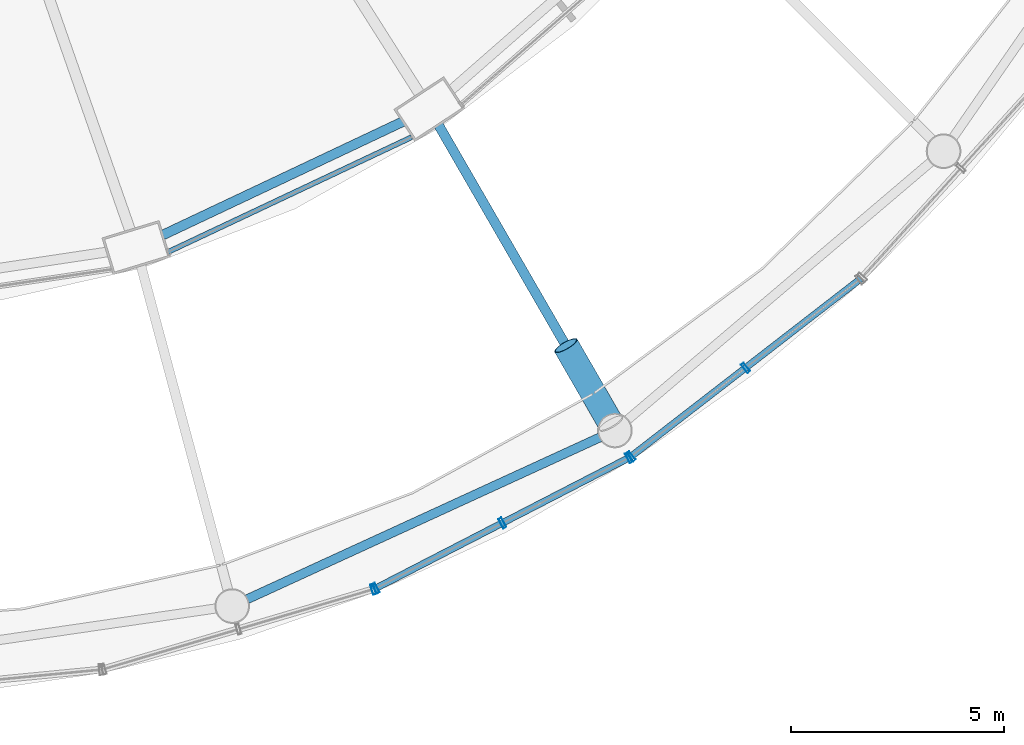
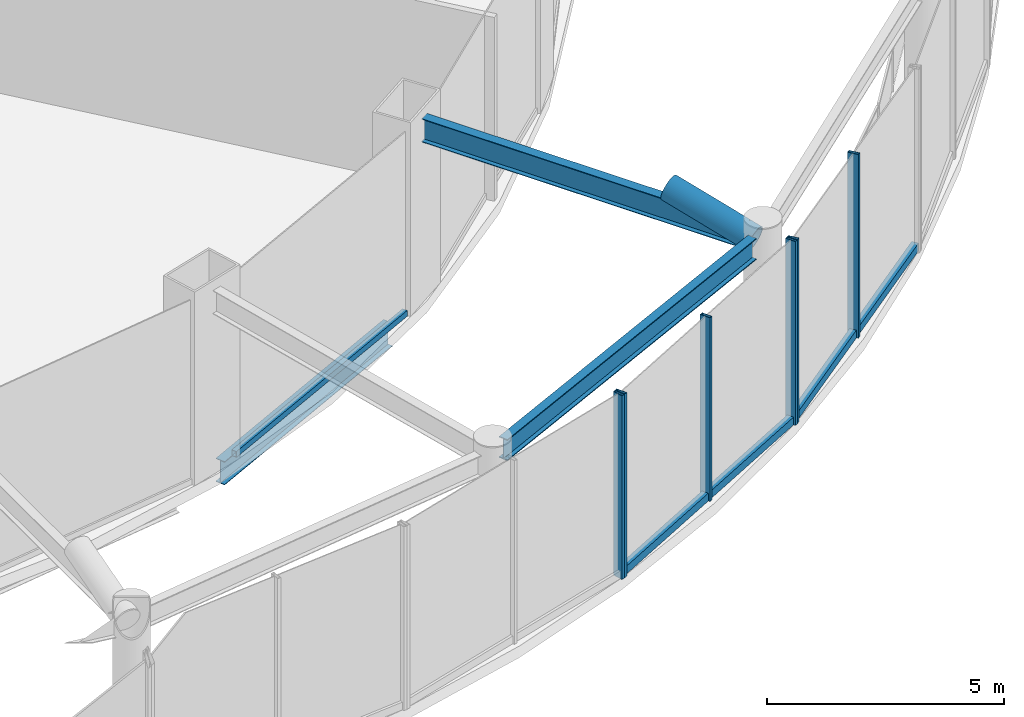
# One storey, part 11 of 52: 10 members, 3 beams, 4 elements without a shape of their own.
"""IFC4 building model written with IfcOpenShell, lengths in metres."""

import ifcopenshell
import ifcopenshell.guid

model = None  # the IFC model being written
_history = None  # IfcOwnerHistory: only IFC2X3 demands one
_inside = {}  # id of a spatial element -> (the spatial element, [elements in it])
_under = {}  # id of a project, library or spatial element -> (it, [spatial elements below it])
_declared = {}  # id of a project -> (the project, [libraries it declares])
_typed = {}  # id of a type object -> (the type object, [elements of that type])
_made_of = {}  # id of a material, layer set ... -> (it, [elements and type objects made of it])


def new_model(schema):
    """Start an empty IFC model of exactly this schema.

    Asked for "IFC4X3", IfcOpenShell would pick the latest addendum, in which some entities
    have other attributes; the version numbers below select the first issue.
    IFC2X3 requires an IfcOwnerHistory on every rooted entity: one is made here for all.
    """
    global model, _history
    if schema == "IFC4X3":
        model = ifcopenshell.file(schema_version=(4, 3, 0, 0))
    else:
        model = ifcopenshell.file(schema=schema)
    _inside.clear()
    _under.clear()
    _declared.clear()
    _typed.clear()
    _made_of.clear()
    _history = None
    if model.schema == "IFC2X3":
        org = make("IfcOrganization", Name="unknown")
        user = make(
            "IfcPersonAndOrganization",
            ThePerson=make("IfcPerson", FamilyName="unknown"),
            TheOrganization=org,
        )
        app = make(
            "IfcApplication",
            ApplicationDeveloper=org,
            Version="unknown",
            ApplicationFullName="unknown",
            ApplicationIdentifier="unknown",
        )
        _history = make(
            "IfcOwnerHistory",
            OwningUser=user,
            OwningApplication=app,
            ChangeAction="ADDED",
            CreationDate=0,
        )
    return model


def make(cls, **values):
    """One entity of the class cls with the attributes given. An attribute that is None is left unset."""
    return model.create_entity(
        cls, **{name: value for name, value in values.items() if value is not None}
    )


def rooted(cls, **values):
    """An entity with a GlobalId (a new one), such as an element, a storey or a relation."""
    return make(cls, GlobalId=ifcopenshell.guid.new(), OwnerHistory=_history, **values)


def si_unit(unit_type, name, prefix=None):
    """IfcSIUnit, for example si_unit("LENGTHUNIT", "METRE", prefix="MILLI")."""
    return make("IfcSIUnit", UnitType=unit_type, Prefix=prefix, Name=name)


def assignment(units):
    """IfcUnitAssignment: the units of a project."""
    return None if units is None else make("IfcUnitAssignment", Units=units)


def point(xyz):
    """IfcCartesianPoint."""
    return None if xyz is None else make("IfcCartesianPoint", Coordinates=xyz)


def direction(xyz):
    """IfcDirection."""
    return None if xyz is None else make("IfcDirection", DirectionRatios=xyz)


def frame(location, z_axis=None, x_axis=None):
    """IfcAxis2Placement3D, a coordinate frame: its origin and axes. An axis left out is left unset."""
    return make(
        "IfcAxis2Placement3D",
        Location=point(location),
        Axis=direction(z_axis),
        RefDirection=direction(x_axis),
    )


def frame_2d(location, x_axis=None):
    """IfcAxis2Placement2D, a coordinate frame in the plane: its origin and x axis."""
    return make(
        "IfcAxis2Placement2D", Location=point(location), RefDirection=direction(x_axis)
    )


def origin():
    """The frame at (0, 0, 0) with its axes left unset."""
    return frame((0.0, 0.0, 0.0))


def origin_2d():
    """The frame at (0, 0) in the plane with its x axis left unset."""
    return frame_2d((0.0, 0.0))


def place(relative_to, where):
    """IfcLocalPlacement: puts the frame where relative to a parent placement (None: the world)."""
    return make(
        "IfcLocalPlacement", PlacementRelTo=relative_to, RelativePlacement=where
    )


def context(
    kind, dimensions, precision=None, world=None, true_north=None, identifier=None
):
    """IfcGeometricRepresentationContext, for example the 3D "Model" context."""
    return make(
        "IfcGeometricRepresentationContext",
        ContextIdentifier=identifier,
        ContextType=kind,
        CoordinateSpaceDimension=dimensions,
        Precision=precision,
        WorldCoordinateSystem=world,
        TrueNorth=true_north,
    )


def subcontext(parent, identifier, kind, view, scale=None):
    """IfcGeometricRepresentationSubContext, for example "Body" below "Model"."""
    return make(
        "IfcGeometricRepresentationSubContext",
        ContextIdentifier=identifier,
        ContextType=kind,
        ParentContext=parent,
        TargetScale=scale,
        TargetView=view,
    )


def project(units=None, contexts=None):
    """IfcProject with its units and contexts."""
    return rooted(
        "IfcProject",
        Name="project",
        RepresentationContexts=contexts,
        UnitsInContext=assignment(units),
    )


def spatial(cls, under=None, at=None, **own):
    """A site, building, storey or space (cls), placed at a placement, below another one or the project."""
    s = rooted(cls, ObjectPlacement=at, **own)
    if under is not None:
        _under.setdefault(under.id(), (under, []))[1].append(s)
    return s


def profile(cls, at=None, kind="AREA", **sizes):
    """A parametric profile (cls). Its sizes go by their IFC names, for example OverallWidth=200.0."""
    return make(cls, ProfileType=kind, Position=at, **sizes)


def hollow_rectangle(**sizes):
    """IfcRectangleHollowProfileDef."""
    return profile("IfcRectangleHollowProfileDef", **sizes)


def hollow_circle(**sizes):
    """IfcCircleHollowProfileDef."""
    return profile("IfcCircleHollowProfileDef", **sizes)


def i_section(**sizes):
    """IfcIShapeProfileDef."""
    return profile("IfcIShapeProfileDef", **sizes)


def extrude(swept, where, along, depth):
    """IfcExtrudedAreaSolid: the profile swept, set in the frame where, extruded along a direction by depth."""
    return make(
        "IfcExtrudedAreaSolid",
        SweptArea=swept,
        Position=where,
        ExtrudedDirection=direction(along),
        Depth=depth,
    )


def shape(context_of_items, identifier, shape_type, items):
    """IfcShapeRepresentation: the items that make up one representation, for example the "Body"."""
    return make(
        "IfcShapeRepresentation",
        ContextOfItems=context_of_items,
        RepresentationIdentifier=identifier,
        RepresentationType=shape_type,
        Items=items,
    )


def material(Name=None, Category=None):
    """IfcMaterial."""
    return make("IfcMaterial", Name=Name, Category=Category)


def layer(
    of_material, thickness, ventilated=None, Name=None, Category=None, Priority=None
):
    """IfcMaterialLayer: one layer of a wall or slab, of a material (None: an air gap)."""
    return make(
        "IfcMaterialLayer",
        Material=of_material,
        LayerThickness=thickness,
        IsVentilated=ventilated,
        Name=Name,
        Category=Category,
        Priority=Priority,
    )


def layer_set(layers, Name=None):
    """IfcMaterialLayerSet."""
    return make("IfcMaterialLayerSet", MaterialLayers=layers, LayerSetName=Name)


def material_profile(
    of_material, cross_section, Name=None, Category=None, Priority=None
):
    """IfcMaterialProfile: a cross section and its material."""
    return make(
        "IfcMaterialProfile",
        Name=Name,
        Material=of_material,
        Profile=cross_section,
        Priority=Priority,
        Category=Category,
    )


def profile_set(profiles, Name=None, composite=None):
    """IfcMaterialProfileSet."""
    return make(
        "IfcMaterialProfileSet",
        Name=Name,
        MaterialProfiles=profiles,
        CompositeProfile=composite,
    )


def made_of(thing, what):
    """Note that an element or type object is made of a material, layer set ...; save() writes the relation."""
    if what is not None:
        _made_of.setdefault(what.id(), (what, []))[1].append(thing)
    return thing


def type_object(cls, material=None, **own):
    """A type object (cls), such as IfcWallType, which elements share."""
    return made_of(rooted(cls, **own), material)


def element(
    cls,
    number,
    at=None,
    inside=None,
    cuts=None,
    type_object=None,
    material=None,
    context=None,
    identifier="Body",
    shape_type=None,
    held_by="IfcProductDefinitionShape",
    body=None,
    shapes=None,
    **own,
):
    """One element of the class cls, such as IfcWall. Its Tag is "e" and its number.

    at: its placement. inside: the storey or other place that contains it. cuts: it is an
    opening in that element (IfcRelVoidsElement). A single representation is given by context,
    identifier, shape_type and body (its items); several are given by shapes. held_by: the class
    of the entity that holds the representations. save() writes the other relations.
    """
    e = rooted(cls, Tag="e%d" % number, ObjectPlacement=at, **own)
    if body is not None:
        shapes = [shape(context, identifier, shape_type, body)]
    if shapes is not None:
        e.Representation = make(held_by, Representations=shapes)
    if inside is not None:
        _inside.setdefault(inside.id(), (inside, []))[1].append(e)
    if cuts is not None:
        rooted(
            "IfcRelVoidsElement", RelatingBuildingElement=cuts, RelatedOpeningElement=e
        )
    if type_object is not None:
        _typed.setdefault(type_object.id(), (type_object, []))[1].append(e)
    return made_of(e, material)


def aggregate(whole, parts):
    """IfcRelAggregates: a whole, such as a stair, and the parts it consists of."""
    return rooted("IfcRelAggregates", RelatingObject=whole, RelatedObjects=parts)


def save(model, path):
    """Write the relations noted so far, then the file.

    IfcRelAggregates (storeys below a building ...), IfcRelContainedInSpatialStructure (elements
    in a storey), IfcRelDefinesByType, IfcRelAssociatesMaterial and IfcRelDeclares: one each for
    every whole, place, type object, material and project.
    """
    for whole, parts in _under.values():
        aggregate(whole, parts)
    for where, things in _inside.values():
        rooted(
            "IfcRelContainedInSpatialStructure",
            RelatedElements=things,
            RelatingStructure=where,
        )
    for kind, things in _typed.values():
        rooted("IfcRelDefinesByType", RelatedObjects=things, RelatingType=kind)
    for what, things in _made_of.values():
        rooted("IfcRelAssociatesMaterial", RelatedObjects=things, RelatingMaterial=what)
    for by, libraries in _declared.values():
        rooted("IfcRelDeclares", RelatingContext=by, RelatedDefinitions=libraries)
    model.write(path)


model = new_model("IFC4")

# Units and contexts
model_context = context("Model", 3, precision=1e-05, world=origin(), true_north=direction((0.0, 1.0)))
body_context = subcontext(model_context, "Body", "Model", "MODEL_VIEW")
ifc_project = project(units=[si_unit("LENGTHUNIT", "METRE"), si_unit("AREAUNIT", "SQUARE_METRE"), si_unit("VOLUMEUNIT", "CUBIC_METRE"), si_unit("PLANEANGLEUNIT", "RADIAN"), si_unit("MASSUNIT", "GRAM", prefix="KILO")], contexts=[model_context])

# Site, building, storey
site_placement = place(None, origin())
site = spatial("IfcSite", under=ifc_project, at=site_placement, CompositionType="ELEMENT")
building_placement = place(site_placement, origin())
building = spatial("IfcBuilding", under=site, at=building_placement, Name="Nagisa Residences", CompositionType="ELEMENT")
storey_placement = place(building_placement, frame((0.0, 0.0, 22.0)))
storey = spatial("IfcBuildingStorey", under=building, at=storey_placement, Name="L04", CompositionType="ELEMENT", Elevation=22.0)

# Beams
ifc_material_1 = material(Name="Steel ASTM A572 Gr 50", Category="steel")
ifc_material_profile_1 = material_profile(ifc_material_1, i_section(OverallWidth=0.214111328125, OverallDepth=0.549072265625, WebThickness=0.0146484375, FlangeThickness=0.023681640625, at=origin_2d()), Name="W530x138")
ifc_profile_set_1 = profile_set([ifc_material_profile_1], Name="Steel ASTM A572 Gr 50")
beam_type_1 = type_object("IfcBeamType", Name="Atrium ring beam W530x138", PredefinedType="BEAM", material=ifc_profile_set_1)
beam_1_placement = place(storey_placement, frame((13.579345703125, -39.635009765625, 4.4755859375), z_axis=(0.908914420706, 0.416982704477, 0.0), x_axis=(-0.416982704477, 0.908914420706, 0.0)))
element("IfcBeam", 1, at=beam_1_placement, inside=storey, type_object=beam_type_1, Name="beam:L04:rab20", PredefinedType="BEAM", context=body_context, shape_type="SweptSolid", body=[
    extrude(i_section(OverallWidth=0.214111328125, OverallDepth=0.549072265625, WebThickness=0.0146484375, FlangeThickness=0.023681640625, at=origin_2d()), origin(), (0.0, 0.0, 1.0), 9.097900390625),
])
ifc_material_2 = material(Name="Steel ASTM A572 Gr 50", Category="steel")
ifc_material_profile_2 = material_profile(ifc_material_2, i_section(OverallWidth=0.22802734375, OverallDepth=0.60302734375, WebThickness=0.010498046875, FlangeThickness=0.014892578125, at=origin_2d()), Name="W610x101")
ifc_profile_set_2 = profile_set([ifc_material_profile_2], Name="Steel ASTM A572 Gr 50")
beam_type_2 = type_object("IfcBeamType", Name="Atrium roof beam W610x101", PredefinedType="BEAM", material=ifc_profile_set_2)
beam_2_placement = place(storey_placement, frame((18.0654296875, -28.518798828125, 4.448486328125), z_axis=(0.500003060896, -0.866023636568, 0.0), x_axis=(0.866023636568, 0.500003060896, 0.0)))
element("IfcBeam", 2, at=beam_2_placement, inside=storey, type_object=beam_type_2, Name="beam:L04:rer21", PredefinedType="BEAM", context=body_context, shape_type="SweptSolid", body=[
    extrude(i_section(OverallWidth=0.22802734375, OverallDepth=0.60302734375, WebThickness=0.010498046875, FlangeThickness=0.014892578125, at=origin_2d()), origin(), (0.0, 0.0, 1.0), 7.8828125),
])

# Curtain wall, member
ifc_material_3 = material(Name="Stainless steel curtain wall system", Category="steel")
ifc_layer_1 = layer(ifc_material_3, 0.159912109375)
ifc_layer_set_1 = layer_set([ifc_layer_1], Name="CW3 CURTAIN WALL")
curtain_wall_type_1 = type_object("IfcCurtainWallType", Name="CW3 CURTAIN WALL", PredefinedType="NOTDEFINED", material=ifc_layer_set_1)
curtain_wall_1_placement = place(storey_placement, origin())
curtain_wall_1 = element("IfcCurtainWall", 3, at=curtain_wall_1_placement, inside=storey, type_object=curtain_wall_type_1, Name="cw:CW3:L04:28", PredefinedType="NOTDEFINED")
ifc_material_4 = material(Name="Stainless steel", Category="steel")
ifc_material_profile_3 = material_profile(ifc_material_4, hollow_rectangle(XDim=0.25, YDim=0.080078125, WallThickness=0.008056640625, at=origin_2d()), Name="CW3 MULLION 250x80")
ifc_profile_set_3 = profile_set([ifc_material_profile_3], Name="Stainless steel")
member_type_1 = type_object("IfcMemberType", Name="CW3 MULLION 250x80", PredefinedType="MULLION", material=ifc_profile_set_3)
member_1_placement = place(storey_placement, frame((16.53564453125, -39.40185546875, 0.0), z_axis=(0.0, 0.0, 1.0), x_axis=(-0.283963226669, 0.958835171393, 0.0)))
member_1 = element("IfcMember", 4, at=member_1_placement, type_object=member_type_1, Name="CW3 mullion", PredefinedType="MULLION", context=body_context, shape_type="SweptSolid", body=[
    extrude(hollow_rectangle(XDim=0.25, YDim=0.080078125, WallThickness=0.008056640625, at=origin_2d()), origin(), (0.0, 0.0, 1.0), 4.739990234375),
])
aggregate(curtain_wall_1, [member_1])

# Curtain wall, members
curtain_wall_2_placement = place(storey_placement, origin())
curtain_wall_2 = element("IfcCurtainWall", 5, at=curtain_wall_2_placement, inside=storey, type_object=curtain_wall_type_1, Name="cw:CW3:L04:29", PredefinedType="NOTDEFINED")
member_2_placement = place(storey_placement, frame((16.595703125, -39.377685546875, 0.0), z_axis=(0.0, 0.0, 1.0), x_axis=(-0.45812598783, 0.888887270285, 0.0)))
member_2 = element("IfcMember", 6, at=member_2_placement, type_object=member_type_1, Name="CW3 mullion", PredefinedType="MULLION", context=body_context, shape_type="SweptSolid", body=[
    extrude(hollow_rectangle(XDim=0.25, YDim=0.080078125, WallThickness=0.008056640625, at=origin_2d()), origin(), (0.0, 0.0, 1.0), 4.739990234375),
])
member_3_placement = place(storey_placement, frame((19.561767578125, -37.848876953125, 0.0), z_axis=(0.0, 0.0, 1.0), x_axis=(-0.45812598783, 0.888887270285, 0.0)))
member_3 = element("IfcMember", 7, at=member_3_placement, type_object=member_type_1, Name="CW3 mullion", PredefinedType="MULLION", context=body_context, shape_type="SweptSolid", body=[
    extrude(hollow_rectangle(XDim=0.25, YDim=0.080078125, WallThickness=0.008056640625, at=origin_2d()), origin(), (0.0, 0.0, 1.0), 4.739990234375),
])
member_4_placement = place(storey_placement, frame((22.52783203125, -36.3203125, 0.0), z_axis=(0.0, 0.0, 1.0), x_axis=(-0.45812598783, 0.888887270285, 0.0)))
member_4 = element("IfcMember", 8, at=member_4_placement, type_object=member_type_1, Name="CW3 mullion", PredefinedType="MULLION", context=body_context, shape_type="SweptSolid", body=[
    extrude(hollow_rectangle(XDim=0.25, YDim=0.080078125, WallThickness=0.008056640625, at=origin_2d()), origin(), (0.0, 0.0, 1.0), 4.739990234375),
])

curtain_wall_3_placement = place(storey_placement, origin())
curtain_wall_3 = element("IfcCurtainWall", 9, at=curtain_wall_3_placement, inside=storey, type_object=curtain_wall_type_1, Name="cw:CW3:L04:30", PredefinedType="NOTDEFINED")
member_5_placement = place(storey_placement, frame((22.582763671875, -36.285400390625, 0.0), z_axis=(0.0, 0.0, 1.0), x_axis=(-0.612034757172, 0.790830864353, 0.0)))
member_5 = element("IfcMember", 10, at=member_5_placement, type_object=member_type_1, Name="CW3 mullion", PredefinedType="MULLION", context=body_context, shape_type="SweptSolid", body=[
    extrude(hollow_rectangle(XDim=0.25, YDim=0.080078125, WallThickness=0.008056640625, at=origin_2d()), origin(), (0.0, 0.0, 1.0), 4.739990234375),
])
member_6_placement = place(storey_placement, frame((25.263916015625, -34.210205078125, 0.0), z_axis=(0.0, 0.0, 1.0), x_axis=(-0.612034757172, 0.790830864353, 0.0)))
member_6 = element("IfcMember", 11, at=member_6_placement, type_object=member_type_1, Name="CW3 mullion", PredefinedType="MULLION", context=body_context, shape_type="SweptSolid", body=[
    extrude(hollow_rectangle(XDim=0.25, YDim=0.080078125, WallThickness=0.008056640625, at=origin_2d()), origin(), (0.0, 0.0, 1.0), 4.739990234375),
])

# Member
ifc_material_5 = material(Name="Stainless steel", Category="steel")
ifc_material_profile_4 = material_profile(ifc_material_5, hollow_rectangle(XDim=0.159912109375, YDim=0.199951171875, WallThickness=0.008056640625, at=origin_2d()), Name="CW3 TRANSOM 160x200")
ifc_profile_set_4 = profile_set([ifc_material_profile_4], Name="Stainless steel")
member_type_2 = type_object("IfcMemberType", Name="CW3 TRANSOM 160x200", PredefinedType="USERDEFINED", material=ifc_profile_set_4)
member_7_placement = place(storey_placement, frame((16.56005859375, -39.39599609375, 0.10009765625), z_axis=(0.888887130152, 0.458126259726, 0.0), x_axis=(-0.458126259726, 0.888887130152, 0.0)))
member_7 = element("IfcMember", 12, at=member_7_placement, type_object=member_type_2, Name="CW3 transom", ObjectType="TRANSOM", PredefinedType="USERDEFINED", context=body_context, shape_type="SweptSolid", body=[
    extrude(hollow_rectangle(XDim=0.159912109375, YDim=0.199951171875, WallThickness=0.008056640625, at=origin_2d()), origin(), (0.0, 0.0, 1.0), 6.753662109375),
])

aggregate(curtain_wall_2, [member_2, member_3, member_4, member_7])

member_8_placement = place(storey_placement, frame((22.551025390625, -36.309814453125, 0.10009765625), z_axis=(0.790834819486, 0.612029646576, 0.0), x_axis=(-0.612029646576, 0.790834819486, 0.0)))
member_8 = element("IfcMember", 13, at=member_8_placement, type_object=member_type_2, Name="CW3 transom", ObjectType="TRANSOM", PredefinedType="USERDEFINED", context=body_context, shape_type="SweptSolid", body=[
    extrude(hollow_rectangle(XDim=0.159912109375, YDim=0.199951171875, WallThickness=0.008056640625, at=origin_2d()), origin(), (0.0, 0.0, 1.0), 6.861083984375),
])

aggregate(curtain_wall_3, [member_5, member_6, member_8])

# Curtain wall, member
ifc_material_6 = material(Name="Stainless steel curtain wall system", Category="steel")
ifc_layer_2 = layer(ifc_material_6, 0.159912109375)
ifc_layer_set_2 = layer_set([ifc_layer_2], Name="CW6 CURTAIN WALL")
curtain_wall_type_2 = type_object("IfcCurtainWallType", Name="CW6 CURTAIN WALL", PredefinedType="NOTDEFINED", material=ifc_layer_set_2)
curtain_wall_4_placement = place(storey_placement, origin())
curtain_wall_4 = element("IfcCurtainWall", 14, at=curtain_wall_4_placement, inside=storey, type_object=curtain_wall_type_2, Name="cw:CW6:L04:38", PredefinedType="NOTDEFINED")
ifc_material_7 = material(Name="Stainless steel", Category="steel")
ifc_material_profile_5 = material_profile(ifc_material_7, hollow_rectangle(XDim=0.1201171875, YDim=0.14990234375, WallThickness=0.008056640625, at=origin_2d()), Name="CW6 TRANSOM 120x150")
ifc_profile_set_5 = profile_set([ifc_material_profile_5], Name="Stainless steel")
member_type_3 = type_object("IfcMemberType", Name="CW6 TRANSOM 120x150", PredefinedType="USERDEFINED", material=ifc_profile_set_5)
member_9_placement = place(storey_placement, frame((11.704833984375, -31.504638671875, 0.074951171875), z_axis=(0.904558144684, 0.426350281911, 0.0), x_axis=(-0.426350281911, 0.904558144684, 0.0)))
member_9 = element("IfcMember", 15, at=member_9_placement, type_object=member_type_3, Name="CW6 transom", ObjectType="TRANSOM", PredefinedType="USERDEFINED", context=body_context, shape_type="SweptSolid", body=[
    extrude(hollow_rectangle(XDim=0.1201171875, YDim=0.14990234375, WallThickness=0.008056640625, at=origin_2d()), origin(), (0.0, 0.0, 1.0), 6.33203125),
])
aggregate(curtain_wall_4, [member_9])

# Member
ifc_material_8 = material(Name="Steel ASTM A572 Gr 65", Category="steel")
ifc_material_profile_6 = material_profile(ifc_material_8, hollow_circle(Radius=0.304931640625, WallThickness=0.02490234375, at=origin_2d()), Name="CHS 610x25")
ifc_profile_set_6 = profile_set([ifc_material_profile_6], Name="Steel ASTM A572 Gr 65")
member_type_4 = type_object("IfcMemberType", Name="Cage strut CHS 610x25", PredefinedType="STRUT", material=ifc_profile_set_6)
member_10_placement = place(storey_placement, frame((21.050048828125, -33.6884765625, 5.0), z_axis=(0.480782391152, -0.832677989233, -0.27476473319), x_axis=(0.866009402589, 0.500027713859, 0.0)))
element("IfcMember", 16, at=member_10_placement, inside=storey, type_object=member_type_4, Name="mem:L04:cg1tie11", PredefinedType="STRUT", context=body_context, shape_type="SweptSolid", body=[
    extrude(hollow_circle(Radius=0.304931640625, WallThickness=0.02490234375, at=origin_2d()), origin(), (0.0, 0.0, 1.0), 2.18408203125),
])

# Beam
ifc_material_9 = material(Name="Steel ASTM A572 Gr 50", Category="steel")
ifc_material_profile_7 = material_profile(ifc_material_9, i_section(OverallWidth=0.22802734375, OverallDepth=0.60302734375, WebThickness=0.010498046875, FlangeThickness=0.014892578125, at=origin_2d()), Name="W610x101")
ifc_profile_set_7 = profile_set([ifc_material_profile_7], Name="Steel ASTM A572 Gr 50")
beam_type_3 = type_object("IfcBeamType", Name="Perimeter ring beam W610x101", PredefinedType="BEAM", material=ifc_profile_set_7)
beam_3_placement = place(storey_placement, frame((11.597900390625, -31.098876953125, -0.6015625), z_axis=(0.904215426643, 0.427076646774, 0.0), x_axis=(-0.427076646774, 0.904215426643, 0.0)))
element("IfcBeam", 17, at=beam_3_placement, inside=storey, type_object=beam_type_3, Name="beam:L04:pb20", PredefinedType="BEAM", context=body_context, shape_type="SweptSolid", body=[
    extrude(i_section(OverallWidth=0.22802734375, OverallDepth=0.60302734375, WebThickness=0.010498046875, FlangeThickness=0.014892578125, at=origin_2d()), origin(), (0.0, 0.0, 1.0), 6.2275390625),
])

save(model, "model.ifc")
